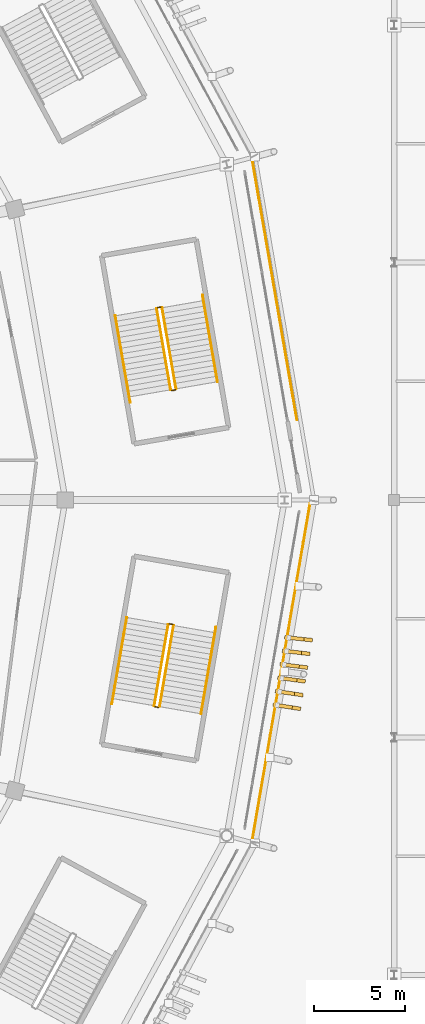
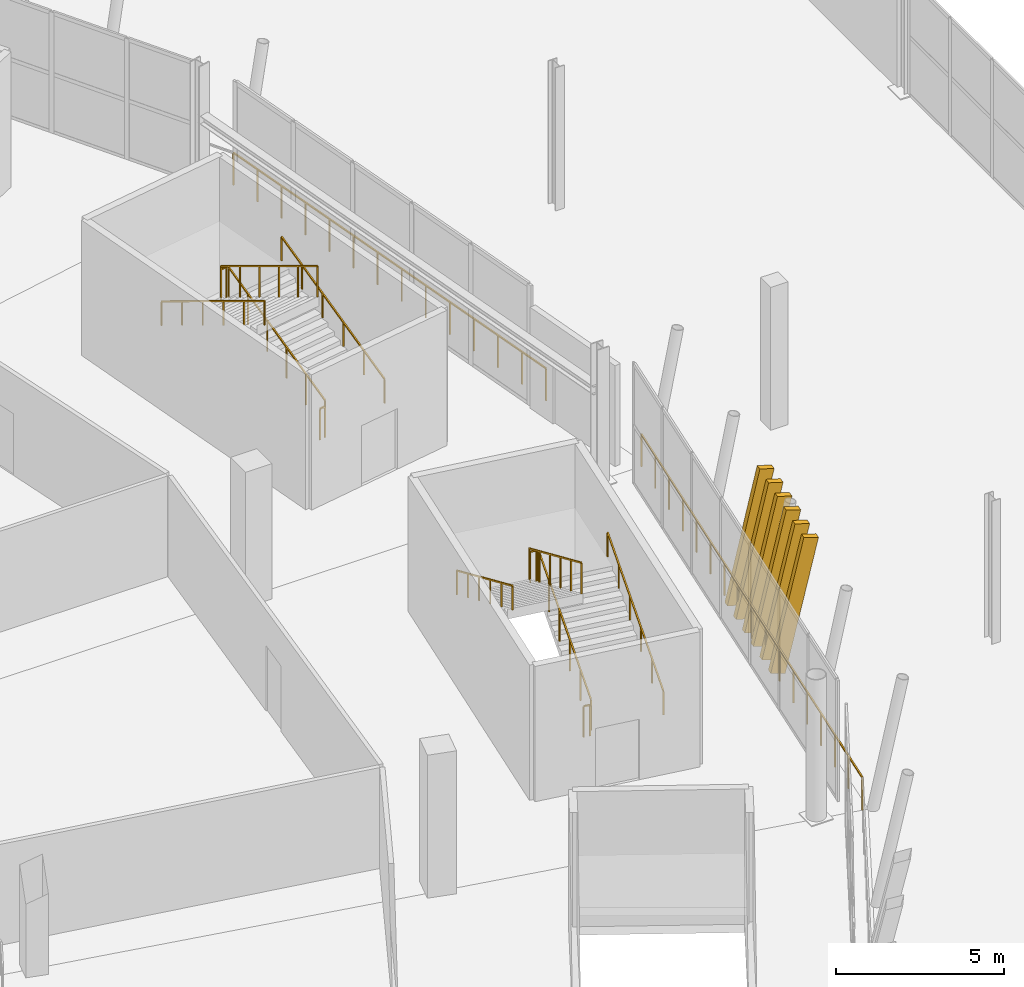
# One storey, part 168 of 178: 14 railings, 6 shading devices.
"""IFC4 building model written with IfcOpenShell, lengths in metres."""

from ifc_helpers import new_model, si_unit, direction, frame, origin, origin_2d, place, context, subcontext, project, spatial, rectangle, extrude, material, material_profile, profile_set, type_object, element, save


model = new_model("IFC4")

# Units and contexts
model_context = context("Model", 3, precision=1e-05, world=origin(), true_north=direction((0.0, 1.0)))
body_context = subcontext(model_context, "Body", "Model", "MODEL_VIEW")
ifc_project = project(units=[si_unit("LENGTHUNIT", "METRE"), si_unit("AREAUNIT", "SQUARE_METRE"), si_unit("VOLUMEUNIT", "CUBIC_METRE"), si_unit("PLANEANGLEUNIT", "RADIAN"), si_unit("MASSUNIT", "GRAM", prefix="KILO")], contexts=[model_context])

# Site, building, storey
site_placement = place(None, origin())
site = spatial("IfcSite", under=ifc_project, at=site_placement, CompositionType="ELEMENT")
building_placement = place(site_placement, origin())
building = spatial("IfcBuilding", under=site, at=building_placement, Name="Zlatoyarsky Gate Stadium", CompositionType="ELEMENT")
storey_placement = place(building_placement, frame((0.0, 0.0, 5.39990234375)))
storey = spatial("IfcBuildingStorey", under=building, at=storey_placement, Name="L01", CompositionType="ELEMENT", Elevation=5.39990234375)

# Railings
ifc_material_1 = material(Name="Powder-coated steel tubular guardrail", Category="steel")
railing_type_1 = type_object("IfcRailingType", Name="CONCOURSE SLAB EDGE GUARDRAIL 1200", PredefinedType="GUARDRAIL", material=ifc_material_1)
railing_1_placement = place(storey_placement, frame((204.67578125, 84.385986328125, 0.0)))
element("IfcRailing", 1, at=railing_1_placement, inside=storey, type_object=railing_type_1, Name="L01 outer slab edge guardrail 00", PredefinedType="GUARDRAIL", context=body_context, shape_type="SweptSolid", body=[
    extrude(rectangle(XDim=0.048095703125, YDim=0.048095703125, at=origin_2d()), frame((0.0, 0.0, 1.17578125), z_axis=(-0.1691740321, 0.985586194538, 0.0), x_axis=(-0.985586194538, -0.1691740321, 0.0)), (0.0, 0.0, 1.0), 14.56982421875),
    extrude(rectangle(XDim=0.0419921875, YDim=0.0419921875, at=origin_2d()), origin(), (0.0, 0.0, 1.0), 1.15185546875),
    extrude(rectangle(XDim=0.0419921875, YDim=0.0419921875, at=origin_2d()), frame((-0.189697265625, 1.1044921875, 0.0)), (0.0, 0.0, 1.0), 1.15185546875),
    extrude(rectangle(XDim=0.0419921875, YDim=0.0419921875, at=origin_2d()), frame((-0.379150390625, 2.209228515625, 0.0)), (0.0, 0.0, 1.0), 1.15185546875),
    extrude(rectangle(XDim=0.0419921875, YDim=0.0419921875, at=origin_2d()), frame((-0.56884765625, 3.313720703125, 0.0)), (0.0, 0.0, 1.0), 1.15185546875),
    extrude(rectangle(XDim=0.0419921875, YDim=0.0419921875, at=origin_2d()), frame((-0.75830078125, 4.41845703125, 0.0)), (0.0, 0.0, 1.0), 1.15185546875),
    extrude(rectangle(XDim=0.0419921875, YDim=0.0419921875, at=origin_2d()), frame((-0.947998046875, 5.52294921875, 0.0)), (0.0, 0.0, 1.0), 1.15185546875),
    extrude(rectangle(XDim=0.0419921875, YDim=0.0419921875, at=origin_2d()), frame((-1.1376953125, 6.627685546875, 0.0)), (0.0, 0.0, 1.0), 1.15185546875),
    extrude(rectangle(XDim=0.0419921875, YDim=0.0419921875, at=origin_2d()), frame((-1.3271484375, 7.732177734375, 0.0)), (0.0, 0.0, 1.0), 1.15185546875),
    extrude(rectangle(XDim=0.0419921875, YDim=0.0419921875, at=origin_2d()), frame((-1.516845703125, 8.8369140625, 0.0)), (0.0, 0.0, 1.0), 1.15185546875),
    extrude(rectangle(XDim=0.0419921875, YDim=0.0419921875, at=origin_2d()), frame((-1.70654296875, 9.94140625, 0.0)), (0.0, 0.0, 1.0), 1.15185546875),
    extrude(rectangle(XDim=0.0419921875, YDim=0.0419921875, at=origin_2d()), frame((-1.89599609375, 11.046142578125, 0.0)), (0.0, 0.0, 1.0), 1.15185546875),
    extrude(rectangle(XDim=0.0419921875, YDim=0.0419921875, at=origin_2d()), frame((-2.085693359375, 12.150634765625, 0.0)), (0.0, 0.0, 1.0), 1.15185546875),
    extrude(rectangle(XDim=0.0419921875, YDim=0.0419921875, at=origin_2d()), frame((-2.275146484375, 13.25537109375, 0.0)), (0.0, 0.0, 1.0), 1.15185546875),
    extrude(rectangle(XDim=0.0419921875, YDim=0.0419921875, at=origin_2d()), frame((-2.46484375, 14.35986328125, 0.0)), (0.0, 0.0, 1.0), 1.15185546875),
])
railing_2_placement = place(storey_placement, frame((202.2109375, 61.254150390625, 0.0)))
element("IfcRailing", 2, at=railing_2_placement, inside=storey, type_object=railing_type_1, Name="L01 outer slab edge guardrail 23", PredefinedType="GUARDRAIL", context=body_context, shape_type="SweptSolid", body=[
    extrude(rectangle(XDim=0.048095703125, YDim=0.048095703125, at=origin_2d()), frame((0.0, 0.0, 1.17578125), z_axis=(0.169165818448, 0.98558760436, 0.0), x_axis=(-0.98558760436, 0.169165818448, 0.0)), (0.0, 0.0, 1.0), 19.02001953125),
    extrude(rectangle(XDim=0.0419921875, YDim=0.0419921875, at=origin_2d()), origin(), (0.0, 0.0, 1.0), 1.15185546875),
    extrude(rectangle(XDim=0.0419921875, YDim=0.0419921875, at=origin_2d()), frame((0.201171875, 1.171630859375, 0.0)), (0.0, 0.0, 1.0), 1.15185546875),
    extrude(rectangle(XDim=0.0419921875, YDim=0.0419921875, at=origin_2d()), frame((0.402099609375, 2.34326171875, 0.0)), (0.0, 0.0, 1.0), 1.15185546875),
    extrude(rectangle(XDim=0.0419921875, YDim=0.0419921875, at=origin_2d()), frame((0.603271484375, 3.514892578125, 0.0)), (0.0, 0.0, 1.0), 1.15185546875),
    extrude(rectangle(XDim=0.0419921875, YDim=0.0419921875, at=origin_2d()), frame((0.804443359375, 4.6865234375, 0.0)), (0.0, 0.0, 1.0), 1.15185546875),
    extrude(rectangle(XDim=0.0419921875, YDim=0.0419921875, at=origin_2d()), frame((1.00537109375, 5.858154296875, 0.0)), (0.0, 0.0, 1.0), 1.15185546875),
    extrude(rectangle(XDim=0.0419921875, YDim=0.0419921875, at=origin_2d()), frame((1.20654296875, 7.02978515625, 0.0)), (0.0, 0.0, 1.0), 1.15185546875),
    extrude(rectangle(XDim=0.0419921875, YDim=0.0419921875, at=origin_2d()), frame((1.40771484375, 8.201416015625, 0.0)), (0.0, 0.0, 1.0), 1.15185546875),
    extrude(rectangle(XDim=0.0419921875, YDim=0.0419921875, at=origin_2d()), frame((1.60888671875, 9.373046875, 0.0)), (0.0, 0.0, 1.0), 1.15185546875),
    extrude(rectangle(XDim=0.0419921875, YDim=0.0419921875, at=origin_2d()), frame((1.809814453125, 10.54443359375, 0.0)), (0.0, 0.0, 1.0), 1.15185546875),
    extrude(rectangle(XDim=0.0419921875, YDim=0.0419921875, at=origin_2d()), frame((2.010986328125, 11.716064453125, 0.0)), (0.0, 0.0, 1.0), 1.15185546875),
    extrude(rectangle(XDim=0.0419921875, YDim=0.0419921875, at=origin_2d()), frame((2.212158203125, 12.8876953125, 0.0)), (0.0, 0.0, 1.0), 1.15185546875),
    extrude(rectangle(XDim=0.0419921875, YDim=0.0419921875, at=origin_2d()), frame((2.4130859375, 14.059326171875, 0.0)), (0.0, 0.0, 1.0), 1.15185546875),
    extrude(rectangle(XDim=0.0419921875, YDim=0.0419921875, at=origin_2d()), frame((2.6142578125, 15.23095703125, 0.0)), (0.0, 0.0, 1.0), 1.15185546875),
    extrude(rectangle(XDim=0.0419921875, YDim=0.0419921875, at=origin_2d()), frame((2.8154296875, 16.402587890625, 0.0)), (0.0, 0.0, 1.0), 1.15185546875),
    extrude(rectangle(XDim=0.0419921875, YDim=0.0419921875, at=origin_2d()), frame((3.016357421875, 17.57421875, 0.0)), (0.0, 0.0, 1.0), 1.15185546875),
    extrude(rectangle(XDim=0.0419921875, YDim=0.0419921875, at=origin_2d()), frame((3.217529296875, 18.745849609375, 0.0)), (0.0, 0.0, 1.0), 1.15185546875),
])
ifc_material_2 = material(Name="Powder-coated steel stair guardrail", Category="steel")
railing_type_2 = type_object("IfcRailingType", Name="PAINTED STEEL STAIR WELL GUARDRAIL 1150", PredefinedType="GUARDRAIL", material=ifc_material_2)
railing_3_placement = place(storey_placement, frame((198.0595703125, 86.085693359375, 0.16259765625)))
element("IfcRailing", 3, at=railing_3_placement, inside=storey, type_object=railing_type_2, Name="ST-01 L01 stair guard 1", PredefinedType="GUARDRAIL", context=body_context, shape_type="SweptSolid", body=[
    extrude(rectangle(XDim=0.048095703125, YDim=0.048095703125, at=origin_2d()), frame((0.0, 0.0, 1.1259765625), z_axis=(-0.149410651291, 0.866505450206, 0.476282229402), x_axis=(-0.985457609709, -0.16992145087, 0.0)), (0.0, 0.0, 1.0), 5.11767578125),
    extrude(rectangle(XDim=0.0419921875, YDim=0.0419921875, at=origin_2d()), origin(), (0.0, 0.0, 1.0), 1.101806640625),
    extrude(rectangle(XDim=0.0419921875, YDim=0.0419921875, at=origin_2d()), frame((-0.15283203125, 0.886962890625, 0.487548828125)), (0.0, 0.0, 1.0), 1.101806640625),
    extrude(rectangle(XDim=0.0419921875, YDim=0.0419921875, at=origin_2d()), frame((-0.305908203125, 1.77392578125, 0.97509765625)), (0.0, 0.0, 1.0), 1.101806640625),
    extrude(rectangle(XDim=0.0419921875, YDim=0.0419921875, at=origin_2d()), frame((-0.458740234375, 2.66064453125, 1.46240234375)), (0.0, 0.0, 1.0), 1.101806640625),
    extrude(rectangle(XDim=0.0419921875, YDim=0.0419921875, at=origin_2d()), frame((-0.61181640625, 3.547607421875, 1.949951171875)), (0.0, 0.0, 1.0), 1.101806640625),
    extrude(rectangle(XDim=0.0419921875, YDim=0.0419921875, at=origin_2d()), frame((-0.7646484375, 4.4345703125, 2.4375)), (0.0, 0.0, 1.0), 1.101806640625),
])
railing_4_placement = place(storey_placement, frame((197.237060546875, 90.56103515625, 2.60009765625)))
element("IfcRailing", 4, at=railing_4_placement, inside=storey, type_object=railing_type_2, Name="ST-01 L01 stair guard 2", PredefinedType="GUARDRAIL", context=body_context, shape_type="SweptSolid", body=[
    extrude(rectangle(XDim=0.048095703125, YDim=0.048095703125, at=origin_2d()), frame((0.0, 0.0, 1.1259765625), z_axis=(-0.985488304827, -0.16974333875, 0.0), x_axis=(0.16974333875, -0.985488304827, 0.0)), (0.0, 0.0, 1.0), 0.199951171875),
    extrude(rectangle(XDim=0.0419921875, YDim=0.0419921875, at=origin_2d()), origin(), (0.0, 0.0, 1.0), 1.101806640625),
    extrude(rectangle(XDim=0.0419921875, YDim=0.0419921875, at=origin_2d()), frame((-0.197021484375, -0.033935546875, 0.0)), (0.0, 0.0, 1.0), 1.101806640625),
])
railing_5_placement = place(storey_placement, frame((196.999267578125, 90.469482421875, 2.7626953125)))
element("IfcRailing", 5, at=railing_5_placement, inside=storey, type_object=railing_type_2, Name="ST-01 L01 stair guard 3", PredefinedType="GUARDRAIL", context=body_context, shape_type="SweptSolid", body=[
    extrude(rectangle(XDim=0.048095703125, YDim=0.048095703125, at=origin_2d()), frame((0.0, 0.0, 1.1259765625), z_axis=(0.149410651291, -0.866505450206, 0.476282229402), x_axis=(0.985457609709, 0.16992145087, 0.0)), (0.0, 0.0, 1.0), 5.11767578125),
    extrude(rectangle(XDim=0.0419921875, YDim=0.0419921875, at=origin_2d()), origin(), (0.0, 0.0, 1.0), 1.101806640625),
    extrude(rectangle(XDim=0.0419921875, YDim=0.0419921875, at=origin_2d()), frame((0.15283203125, -0.886962890625, 0.487548828125)), (0.0, 0.0, 1.0), 1.101806640625),
    extrude(rectangle(XDim=0.0419921875, YDim=0.0419921875, at=origin_2d()), frame((0.305908203125, -1.77392578125, 0.97509765625)), (0.0, 0.0, 1.0), 1.101806640625),
    extrude(rectangle(XDim=0.0419921875, YDim=0.0419921875, at=origin_2d()), frame((0.458740234375, -2.66064453125, 1.46240234375)), (0.0, 0.0, 1.0), 1.101806640625),
    extrude(rectangle(XDim=0.0419921875, YDim=0.0419921875, at=origin_2d()), frame((0.61181640625, -3.547607421875, 1.949951171875)), (0.0, 0.0, 1.0), 1.101806640625),
    extrude(rectangle(XDim=0.0419921875, YDim=0.0419921875, at=origin_2d()), frame((0.7646484375, -4.4345703125, 2.4375)), (0.0, 0.0, 1.0), 1.101806640625),
])
railing_6_placement = place(storey_placement, frame((198.018798828125, 86.028076171875, 0.0)))
element("IfcRailing", 6, at=railing_6_placement, inside=storey, type_object=railing_type_2, Name="ST-01 L01 stair guard 4", PredefinedType="GUARDRAIL", context=body_context, shape_type="SweptSolid", body=[
    extrude(rectangle(XDim=0.048095703125, YDim=0.048095703125, at=origin_2d()), frame((0.0, 0.0, 1.1259765625), z_axis=(-0.985488304827, -0.16974333875, 0.0), x_axis=(0.16974333875, -0.985488304827, 0.0)), (0.0, 0.0, 1.0), 0.199951171875),
    extrude(rectangle(XDim=0.0419921875, YDim=0.0419921875, at=origin_2d()), origin(), (0.0, 0.0, 1.0), 1.101806640625),
    extrude(rectangle(XDim=0.0419921875, YDim=0.0419921875, at=origin_2d()), frame((-0.197021484375, -0.033935546875, 0.0)), (0.0, 0.0, 1.0), 1.101806640625),
])
railing_7_placement = place(storey_placement, frame((197.158935546875, 68.69140625, 0.16259765625)))
element("IfcRailing", 7, at=railing_7_placement, inside=storey, type_object=railing_type_2, Name="ST-20 L01 stair guard 1", PredefinedType="GUARDRAIL", context=body_context, shape_type="SweptSolid", body=[
    extrude(rectangle(XDim=0.048095703125, YDim=0.048095703125, at=origin_2d()), frame((0.0, 0.0, 1.1259765625), z_axis=(0.149410651291, 0.866505450206, 0.476282229402), x_axis=(-0.985457609709, 0.16992145087, 0.0)), (0.0, 0.0, 1.0), 5.11767578125),
    extrude(rectangle(XDim=0.0419921875, YDim=0.0419921875, at=origin_2d()), origin(), (0.0, 0.0, 1.0), 1.101806640625),
    extrude(rectangle(XDim=0.0419921875, YDim=0.0419921875, at=origin_2d()), frame((0.15283203125, 0.886962890625, 0.487548828125)), (0.0, 0.0, 1.0), 1.101806640625),
    extrude(rectangle(XDim=0.0419921875, YDim=0.0419921875, at=origin_2d()), frame((0.305908203125, 1.77392578125, 0.97509765625)), (0.0, 0.0, 1.0), 1.101806640625),
    extrude(rectangle(XDim=0.0419921875, YDim=0.0419921875, at=origin_2d()), frame((0.458740234375, 2.66064453125, 1.46240234375)), (0.0, 0.0, 1.0), 1.101806640625),
    extrude(rectangle(XDim=0.0419921875, YDim=0.0419921875, at=origin_2d()), frame((0.61181640625, 3.547607421875, 1.949951171875)), (0.0, 0.0, 1.0), 1.101806640625),
    extrude(rectangle(XDim=0.0419921875, YDim=0.0419921875, at=origin_2d()), frame((0.7646484375, 4.4345703125, 2.4375)), (0.0, 0.0, 1.0), 1.101806640625),
])
railing_8_placement = place(storey_placement, frame((197.8828125, 73.18359375, 2.60009765625)))
element("IfcRailing", 8, at=railing_8_placement, inside=storey, type_object=railing_type_2, Name="ST-20 L01 stair guard 2", PredefinedType="GUARDRAIL", context=body_context, shape_type="SweptSolid", body=[
    extrude(rectangle(XDim=0.048095703125, YDim=0.048095703125, at=origin_2d()), frame((0.0, 0.0, 1.1259765625), z_axis=(-0.985488304827, 0.16974333875, 0.0), x_axis=(-0.16974333875, -0.985488304827, 0.0)), (0.0, 0.0, 1.0), 0.199951171875),
    extrude(rectangle(XDim=0.0419921875, YDim=0.0419921875, at=origin_2d()), origin(), (0.0, 0.0, 1.0), 1.101806640625),
    extrude(rectangle(XDim=0.0419921875, YDim=0.0419921875, at=origin_2d()), frame((-0.197021484375, 0.033935546875, 0.0)), (0.0, 0.0, 1.0), 1.101806640625),
])
railing_9_placement = place(storey_placement, frame((197.6279296875, 73.1767578125, 2.7626953125)))
element("IfcRailing", 9, at=railing_9_placement, inside=storey, type_object=railing_type_2, Name="ST-20 L01 stair guard 3", PredefinedType="GUARDRAIL", context=body_context, shape_type="SweptSolid", body=[
    extrude(rectangle(XDim=0.048095703125, YDim=0.048095703125, at=origin_2d()), frame((0.0, 0.0, 1.1259765625), z_axis=(-0.149410651291, -0.866505450206, 0.476282229402), x_axis=(0.985457609709, -0.16992145087, 0.0)), (0.0, 0.0, 1.0), 5.11767578125),
    extrude(rectangle(XDim=0.0419921875, YDim=0.0419921875, at=origin_2d()), origin(), (0.0, 0.0, 1.0), 1.101806640625),
    extrude(rectangle(XDim=0.0419921875, YDim=0.0419921875, at=origin_2d()), frame((-0.15283203125, -0.886962890625, 0.487548828125)), (0.0, 0.0, 1.0), 1.101806640625),
    extrude(rectangle(XDim=0.0419921875, YDim=0.0419921875, at=origin_2d()), frame((-0.305908203125, -1.77392578125, 0.97509765625)), (0.0, 0.0, 1.0), 1.101806640625),
    extrude(rectangle(XDim=0.0419921875, YDim=0.0419921875, at=origin_2d()), frame((-0.458740234375, -2.66064453125, 1.46240234375)), (0.0, 0.0, 1.0), 1.101806640625),
    extrude(rectangle(XDim=0.0419921875, YDim=0.0419921875, at=origin_2d()), frame((-0.61181640625, -3.547607421875, 1.949951171875)), (0.0, 0.0, 1.0), 1.101806640625),
    extrude(rectangle(XDim=0.0419921875, YDim=0.0419921875, at=origin_2d()), frame((-0.7646484375, -4.4345703125, 2.4375)), (0.0, 0.0, 1.0), 1.101806640625),
])
railing_10_placement = place(storey_placement, frame((197.10107421875, 68.650634765625, 0.0)))
element("IfcRailing", 10, at=railing_10_placement, inside=storey, type_object=railing_type_2, Name="ST-20 L01 stair guard 4", PredefinedType="GUARDRAIL", context=body_context, shape_type="SweptSolid", body=[
    extrude(rectangle(XDim=0.048095703125, YDim=0.048095703125, at=origin_2d()), frame((0.0, 0.0, 1.1259765625), z_axis=(-0.985488304827, 0.16974333875, 0.0), x_axis=(-0.16974333875, -0.985488304827, 0.0)), (0.0, 0.0, 1.0), 0.199951171875),
    extrude(rectangle(XDim=0.0419921875, YDim=0.0419921875, at=origin_2d()), origin(), (0.0, 0.0, 1.0), 1.101806640625),
    extrude(rectangle(XDim=0.0419921875, YDim=0.0419921875, at=origin_2d()), frame((-0.197021484375, 0.033935546875, 0.0)), (0.0, 0.0, 1.0), 1.101806640625),
])

# Shading devices
ifc_material_3 = material(Name="Precast concrete C40/50 stone-toned architectural rib", Category="masonry")
ifc_material_profile = material_profile(ifc_material_3, rectangle(XDim=0.199951171875, YDim=0.47998046875, at=origin_2d()), Name="RIB 200X480")
ifc_profile_set = profile_set([ifc_material_profile], Name="Precast concrete C40/50 stone-toned architectural rib")
shading_device_type = type_object("IfcShadingDeviceType", Name="PRECAST FLUTED GATE LOUVRE BLADE 200X480", PredefinedType="SHUTTER", material=ifc_profile_set)
for number, where, z_axis, x_axis, name in (
    (11, (203.600830078125, 68.76611328125, -0.010009765625), (0.217916743717, -0.034445397034, 0.975359322215), (0.156128366899, 0.987736773158, 0.0), "Leaning bowl louvre fin L01-23-1"),
    (12, (203.727783203125, 69.50537109375, -0.010009765625), (0.218223774019, -0.03220695942, 0.975367159698), (0.146005281434, 0.989283810538, 0.0), "Leaning bowl louvre fin L01-23-2"),
    (13, (203.8544921875, 70.244384765625, -0.010009765625), (0.218530358948, -0.029866663726, 0.975372987434), (0.135411731328, 0.990789414063, 0.0), "Leaning bowl louvre fin L01-23-3"),
    (14, (203.9814453125, 70.983642578125, -0.010009765625), (0.218786670001, -0.027628177165, 0.975381503237), (0.125284105162, 0.992120906439, 0.0), "Leaning bowl louvre fin L01-23-4"),
    (15, (204.1083984375, 71.722900390625, -0.010009765625), (0.219090312287, -0.025389239626, 0.975374195667), (0.115114437103, 0.993352236807, 0.0), "Leaning bowl louvre fin L01-23-5"),
    (16, (204.235107421875, 72.462158203125, -0.010009765625), (0.219393088164, -0.023099365034, 0.975363056611), (0.104708795919, 0.994502925112, 0.0), "Leaning bowl louvre fin L01-23-6"),
):
    element("IfcShadingDevice", number, at=place(storey_placement, frame(where, z_axis=z_axis, x_axis=x_axis)), inside=storey, type_object=shading_device_type, Name=name, PredefinedType="SHUTTER", context=body_context, shape_type="SweptSolid", body=[
        extrude(rectangle(XDim=0.199951171875, YDim=0.47998046875, at=origin_2d()), origin(), (0.0, 0.0, 1.0), 4.79833984375),
    ])

# Railings
ifc_material_4 = material(Name="Brushed stainless steel 316 handrail", Category="steel")
railing_type_3 = type_object("IfcRailingType", Name="STAINLESS STEEL TUBULAR HANDRAIL 900", PredefinedType="HANDRAIL", material=ifc_material_4)
railing_11_placement = place(storey_placement, frame((200.326171875, 86.4765625, 0.16650390625)))
element("IfcRailing", 17, at=railing_11_placement, inside=storey, type_object=railing_type_3, Name="ST-01 L01 stair handrail 1", PredefinedType="HANDRAIL", context=body_context, shape_type="SweptSolid", body=[
    extrude(rectangle(XDim=0.048095703125, YDim=0.048095703125, at=origin_2d()), frame((0.0, 0.0, 0.8759765625), z_axis=(-0.149417737082, 0.866497652186, 0.476294193331), x_axis=(-0.985456004189, -0.169930761806, 0.0)), (0.0, 0.0, 1.0), 5.458984375),
    extrude(rectangle(XDim=0.0419921875, YDim=0.0419921875, at=origin_2d()), origin(), (0.0, 0.0, 1.0), 0.851806640625),
    extrude(rectangle(XDim=0.0419921875, YDim=0.0419921875, at=origin_2d()), frame((-0.1630859375, 0.946044921875, 0.52001953125)), (0.0, 0.0, 1.0), 0.851806640625),
    extrude(rectangle(XDim=0.0419921875, YDim=0.0419921875, at=origin_2d()), frame((-0.326171875, 1.89208984375, 1.0400390625)), (0.0, 0.0, 1.0), 0.851806640625),
    extrude(rectangle(XDim=0.0419921875, YDim=0.0419921875, at=origin_2d()), frame((-0.489501953125, 2.838134765625, 1.56005859375)), (0.0, 0.0, 1.0), 0.851806640625),
    extrude(rectangle(XDim=0.0419921875, YDim=0.0419921875, at=origin_2d()), frame((-0.652587890625, 3.7841796875, 2.080078125)), (0.0, 0.0, 1.0), 0.851806640625),
    extrude(rectangle(XDim=0.0419921875, YDim=0.0419921875, at=origin_2d()), frame((-0.815673828125, 4.730224609375, 2.60009765625)), (0.0, 0.0, 1.0), 0.851806640625),
])
railing_12_placement = place(storey_placement, frame((194.732666015625, 90.07861328125, 2.7666015625)))
element("IfcRailing", 18, at=railing_12_placement, inside=storey, type_object=railing_type_3, Name="ST-01 L01 stair handrail 2", PredefinedType="HANDRAIL", context=body_context, shape_type="SweptSolid", body=[
    extrude(rectangle(XDim=0.048095703125, YDim=0.048095703125, at=origin_2d()), frame((0.0, 0.0, 0.8759765625), z_axis=(0.149417737082, -0.866497652186, 0.476294193331), x_axis=(0.985456004189, 0.169930761806, 0.0)), (0.0, 0.0, 1.0), 5.458984375),
    extrude(rectangle(XDim=0.0419921875, YDim=0.0419921875, at=origin_2d()), origin(), (0.0, 0.0, 1.0), 0.851806640625),
    extrude(rectangle(XDim=0.0419921875, YDim=0.0419921875, at=origin_2d()), frame((0.1630859375, -0.946044921875, 0.52001953125)), (0.0, 0.0, 1.0), 0.851806640625),
    extrude(rectangle(XDim=0.0419921875, YDim=0.0419921875, at=origin_2d()), frame((0.326171875, -1.89208984375, 1.0400390625)), (0.0, 0.0, 1.0), 0.851806640625),
    extrude(rectangle(XDim=0.0419921875, YDim=0.0419921875, at=origin_2d()), frame((0.489501953125, -2.838134765625, 1.56005859375)), (0.0, 0.0, 1.0), 0.851806640625),
    extrude(rectangle(XDim=0.0419921875, YDim=0.0419921875, at=origin_2d()), frame((0.652587890625, -3.7841796875, 2.080078125)), (0.0, 0.0, 1.0), 0.851806640625),
    extrude(rectangle(XDim=0.0419921875, YDim=0.0419921875, at=origin_2d()), frame((0.815673828125, -4.730224609375, 2.60009765625)), (0.0, 0.0, 1.0), 0.851806640625),
])
railing_13_placement = place(storey_placement, frame((199.425537109375, 68.300537109375, 0.16650390625)))
element("IfcRailing", 19, at=railing_13_placement, inside=storey, type_object=railing_type_3, Name="ST-20 L01 stair handrail 1", PredefinedType="HANDRAIL", context=body_context, shape_type="SweptSolid", body=[
    extrude(rectangle(XDim=0.048095703125, YDim=0.048095703125, at=origin_2d()), frame((0.0, 0.0, 0.8759765625), z_axis=(0.149417737082, 0.866497652186, 0.476294193331), x_axis=(-0.985456004189, 0.169930761806, 0.0)), (0.0, 0.0, 1.0), 5.458984375),
    extrude(rectangle(XDim=0.0419921875, YDim=0.0419921875, at=origin_2d()), origin(), (0.0, 0.0, 1.0), 0.851806640625),
    extrude(rectangle(XDim=0.0419921875, YDim=0.0419921875, at=origin_2d()), frame((0.1630859375, 0.946044921875, 0.52001953125)), (0.0, 0.0, 1.0), 0.851806640625),
    extrude(rectangle(XDim=0.0419921875, YDim=0.0419921875, at=origin_2d()), frame((0.326171875, 1.89208984375, 1.0400390625)), (0.0, 0.0, 1.0), 0.851806640625),
    extrude(rectangle(XDim=0.0419921875, YDim=0.0419921875, at=origin_2d()), frame((0.489501953125, 2.838134765625, 1.56005859375)), (0.0, 0.0, 1.0), 0.851806640625),
    extrude(rectangle(XDim=0.0419921875, YDim=0.0419921875, at=origin_2d()), frame((0.652587890625, 3.7841796875, 2.080078125)), (0.0, 0.0, 1.0), 0.851806640625),
    extrude(rectangle(XDim=0.0419921875, YDim=0.0419921875, at=origin_2d()), frame((0.815673828125, 4.730224609375, 2.60009765625)), (0.0, 0.0, 1.0), 0.851806640625),
])
railing_14_placement = place(storey_placement, frame((195.361572265625, 73.567626953125, 2.7666015625)))
element("IfcRailing", 20, at=railing_14_placement, inside=storey, type_object=railing_type_3, Name="ST-20 L01 stair handrail 2", PredefinedType="HANDRAIL", context=body_context, shape_type="SweptSolid", body=[
    extrude(rectangle(XDim=0.048095703125, YDim=0.048095703125, at=origin_2d()), frame((0.0, 0.0, 0.8759765625), z_axis=(-0.149461460644, -0.866491861156, 0.476291010132), x_axis=(0.985447485669, -0.169980154689, 0.0)), (0.0, 0.0, 1.0), 5.458984375),
    extrude(rectangle(XDim=0.0419921875, YDim=0.0419921875, at=origin_2d()), origin(), (0.0, 0.0, 1.0), 0.851806640625),
    extrude(rectangle(XDim=0.0419921875, YDim=0.0419921875, at=origin_2d()), frame((-0.1630859375, -0.946044921875, 0.52001953125)), (0.0, 0.0, 1.0), 0.851806640625),
    extrude(rectangle(XDim=0.0419921875, YDim=0.0419921875, at=origin_2d()), frame((-0.326416015625, -1.89208984375, 1.0400390625)), (0.0, 0.0, 1.0), 0.851806640625),
    extrude(rectangle(XDim=0.0419921875, YDim=0.0419921875, at=origin_2d()), frame((-0.489501953125, -2.838134765625, 1.56005859375)), (0.0, 0.0, 1.0), 0.851806640625),
    extrude(rectangle(XDim=0.0419921875, YDim=0.0419921875, at=origin_2d()), frame((-0.65283203125, -3.7841796875, 2.080078125)), (0.0, 0.0, 1.0), 0.851806640625),
    extrude(rectangle(XDim=0.0419921875, YDim=0.0419921875, at=origin_2d()), frame((-0.81591796875, -4.730224609375, 2.60009765625)), (0.0, 0.0, 1.0), 0.851806640625),
])

save(model, "model.ifc")
